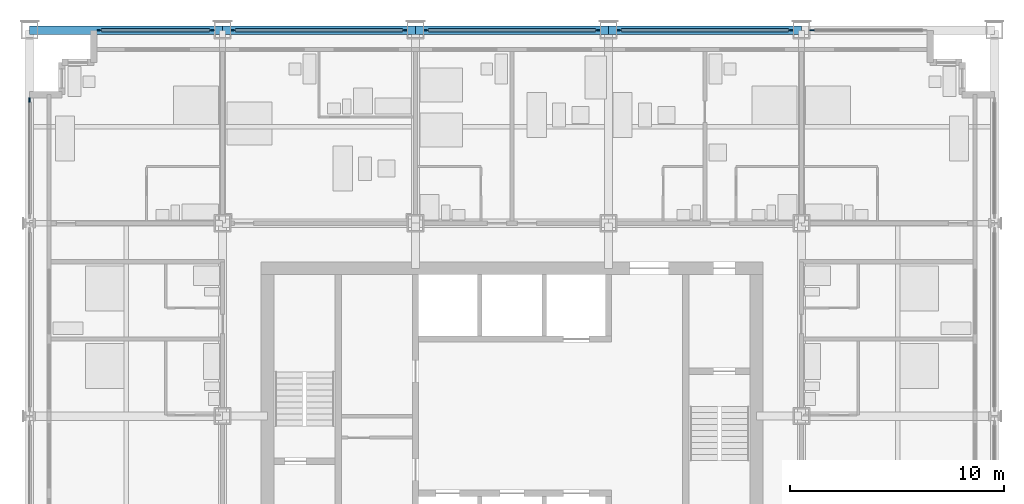
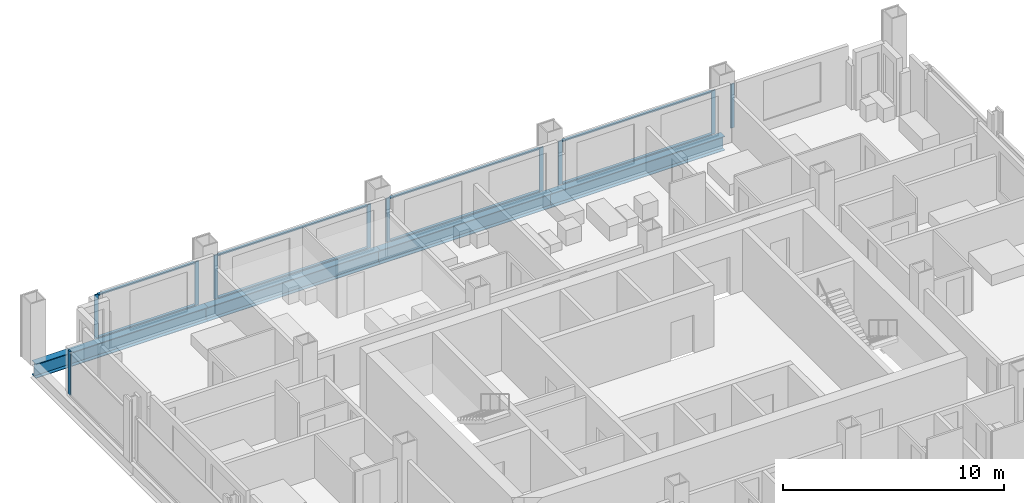
# One storey, part 6 of 16: 18 members, 4 beams, 6 elements without a shape of their own.
"""IFC4 building model written with IfcOpenShell, lengths in metres."""

from ifc_helpers import new_model, si_unit, direction, frame, origin, origin_2d, place, context, subcontext, project, spatial, rectangle, i_section, extrude, material, material_profile, profile_set, type_object, element, aggregate, save


model = new_model("IFC4")

# Units and contexts
model_context = context("Model", 3, precision=1e-05, world=origin(), true_north=direction((0.0, 1.0)))
body_context = subcontext(model_context, "Body", "Model", "MODEL_VIEW")
ifc_project = project(units=[si_unit("LENGTHUNIT", "METRE"), si_unit("AREAUNIT", "SQUARE_METRE"), si_unit("VOLUMEUNIT", "CUBIC_METRE"), si_unit("PLANEANGLEUNIT", "RADIAN"), si_unit("MASSUNIT", "GRAM", prefix="KILO")], contexts=[model_context])

# Site, building, storey
site_placement = place(None, origin())
site = spatial("IfcSite", under=ifc_project, at=site_placement, CompositionType="ELEMENT")
building_placement = place(site_placement, origin())
building = spatial("IfcBuilding", under=site, at=building_placement, Name="Loomwork Tower", CompositionType="ELEMENT")
storey_placement = place(building_placement, frame((0.0, 0.0, 148.60009765625)))
storey = spatial("IfcBuildingStorey", under=building, at=storey_placement, Name="L40", CompositionType="ELEMENT", Elevation=148.60009765625)

# Curtain wall, members
ifc_material_1 = material(Name="Aluminium curtain wall frame", Category="aluminium")
curtain_wall_type = type_object("IfcCurtainWallType", Name="Outer skin glazing hotel", PredefinedType="NOTDEFINED", material=ifc_material_1)
curtain_wall_1_placement = place(storey_placement, origin())
curtain_wall_1 = element("IfcCurtainWall", 1, at=curtain_wall_1_placement, inside=storey, type_object=curtain_wall_type, Name="Outer skin glazing hotel cw/N-0", PredefinedType="NOTDEFINED")
ifc_material_2 = material(Name="Aluminium curtain wall frame", Category="aluminium")
ifc_material_profile_1 = material_profile(ifc_material_2, rectangle(XDim=0.06494140625, YDim=0.199951171875, at=origin_2d()), Name="AL 65x200")
ifc_profile_set_1 = profile_set([ifc_material_profile_1], Name="Aluminium curtain wall frame")
member_type_1 = type_object("IfcMemberType", Name="Outer skin glazing hotel mullion", PredefinedType="MULLION", material=ifc_profile_set_1)
member_1_placement = place(storey_placement, frame((8.5, 36.0, 0.0), z_axis=(0.0, 0.0, 1.0), x_axis=(0.0, -1.0, 0.0)))
member_1 = element("IfcMember", 2, at=member_1_placement, type_object=member_type_1, Name="CW1 mullion 1", PredefinedType="MULLION", context=body_context, shape_type="SweptSolid", body=[
    extrude(rectangle(XDim=0.06494140625, YDim=0.199951171875, at=origin_2d()), origin(), (0.0, 0.0, 1.0), 2.420166015625),
])
member_2_placement = place(storey_placement, frame((3.25, 36.0, 0.0), z_axis=(0.0, 0.0, 1.0), x_axis=(0.0, -1.0, 0.0)))
member_2 = element("IfcMember", 3, at=member_2_placement, type_object=member_type_1, Name="CW1 mullion 2", PredefinedType="MULLION", context=body_context, shape_type="SweptSolid", body=[
    extrude(rectangle(XDim=0.06494140625, YDim=0.199951171875, at=origin_2d()), origin(), (0.0, 0.0, 1.0), 2.420166015625),
])

curtain_wall_2_placement = place(storey_placement, origin())
curtain_wall_2 = element("IfcCurtainWall", 4, at=curtain_wall_2_placement, inside=storey, type_object=curtain_wall_type, Name="Outer skin glazing hotel cw/N-9", PredefinedType="NOTDEFINED")
member_3_placement = place(storey_placement, frame((17.5, 36.0, 0.0), z_axis=(0.0, 0.0, 1.0), x_axis=(0.0, -1.0, 0.0)))
member_3 = element("IfcMember", 5, at=member_3_placement, type_object=member_type_1, Name="CW1 mullion 1", PredefinedType="MULLION", context=body_context, shape_type="SweptSolid", body=[
    extrude(rectangle(XDim=0.06494140625, YDim=0.199951171875, at=origin_2d()), origin(), (0.0, 0.0, 1.0), 2.420166015625),
])
member_4_placement = place(storey_placement, frame((9.5, 36.0, 0.0), z_axis=(0.0, 0.0, 1.0), x_axis=(0.0, -1.0, 0.0)))
member_4 = element("IfcMember", 6, at=member_4_placement, type_object=member_type_1, Name="CW1 mullion 2", PredefinedType="MULLION", context=body_context, shape_type="SweptSolid", body=[
    extrude(rectangle(XDim=0.06494140625, YDim=0.199951171875, at=origin_2d()), origin(), (0.0, 0.0, 1.0), 2.420166015625),
])

curtain_wall_3_placement = place(storey_placement, origin())
curtain_wall_3 = element("IfcCurtainWall", 7, at=curtain_wall_3_placement, inside=storey, type_object=curtain_wall_type, Name="Outer skin glazing hotel cw/N-18", PredefinedType="NOTDEFINED")
member_5_placement = place(storey_placement, frame((26.5, 36.0, 0.0), z_axis=(0.0, 0.0, 1.0), x_axis=(0.0, -1.0, 0.0)))
member_5 = element("IfcMember", 8, at=member_5_placement, type_object=member_type_1, Name="CW1 mullion 1", PredefinedType="MULLION", context=body_context, shape_type="SweptSolid", body=[
    extrude(rectangle(XDim=0.06494140625, YDim=0.199951171875, at=origin_2d()), origin(), (0.0, 0.0, 1.0), 2.420166015625),
])
member_6_placement = place(storey_placement, frame((18.5, 36.0, 0.0), z_axis=(0.0, 0.0, 1.0), x_axis=(0.0, -1.0, 0.0)))
member_6 = element("IfcMember", 9, at=member_6_placement, type_object=member_type_1, Name="CW1 mullion 2", PredefinedType="MULLION", context=body_context, shape_type="SweptSolid", body=[
    extrude(rectangle(XDim=0.06494140625, YDim=0.199951171875, at=origin_2d()), origin(), (0.0, 0.0, 1.0), 2.420166015625),
])

curtain_wall_4_placement = place(storey_placement, origin())
curtain_wall_4 = element("IfcCurtainWall", 10, at=curtain_wall_4_placement, inside=storey, type_object=curtain_wall_type, Name="Outer skin glazing hotel cw/N-27", PredefinedType="NOTDEFINED")
member_7_placement = place(storey_placement, frame((35.5, 36.0, 0.0), z_axis=(0.0, 0.0, 1.0), x_axis=(0.0, -1.0, 0.0)))
member_7 = element("IfcMember", 11, at=member_7_placement, type_object=member_type_1, Name="CW1 mullion 1", PredefinedType="MULLION", context=body_context, shape_type="SweptSolid", body=[
    extrude(rectangle(XDim=0.06494140625, YDim=0.199951171875, at=origin_2d()), origin(), (0.0, 0.0, 1.0), 2.420166015625),
])
member_8_placement = place(storey_placement, frame((27.5, 36.0, 0.0), z_axis=(0.0, 0.0, 1.0), x_axis=(0.0, -1.0, 0.0)))
member_8 = element("IfcMember", 12, at=member_8_placement, type_object=member_type_1, Name="CW1 mullion 2", PredefinedType="MULLION", context=body_context, shape_type="SweptSolid", body=[
    extrude(rectangle(XDim=0.06494140625, YDim=0.199951171875, at=origin_2d()), origin(), (0.0, 0.0, 1.0), 2.420166015625),
])

# Curtain wall, member
curtain_wall_5_placement = place(storey_placement, origin())
curtain_wall_5 = element("IfcCurtainWall", 13, at=curtain_wall_5_placement, inside=storey, type_object=curtain_wall_type, Name="Outer skin glazing hotel cw/N-36", PredefinedType="NOTDEFINED")
member_9_placement = place(storey_placement, frame((36.5, 36.0, 0.0), z_axis=(0.0, 0.0, 1.0), x_axis=(0.0, -1.0, 0.0)))
member_9 = element("IfcMember", 14, at=member_9_placement, type_object=member_type_1, Name="CW1 mullion 2", PredefinedType="MULLION", context=body_context, shape_type="SweptSolid", body=[
    extrude(rectangle(XDim=0.06494140625, YDim=0.199951171875, at=origin_2d()), origin(), (0.0, 0.0, 1.0), 2.420166015625),
])
aggregate(curtain_wall_5, [member_9])

curtain_wall_6_placement = place(storey_placement, origin())
curtain_wall_6 = element("IfcCurtainWall", 15, at=curtain_wall_6_placement, inside=storey, type_object=curtain_wall_type, Name="Outer skin glazing hotel cw/W-27", PredefinedType="NOTDEFINED")
member_10_placement = place(storey_placement, frame((0.0, 32.75, 0.0), z_axis=(0.0, 0.0, 1.0), x_axis=(1.0, 0.0, 0.0)))
member_10 = element("IfcMember", 16, at=member_10_placement, type_object=member_type_1, Name="CW1 mullion 1", PredefinedType="MULLION", context=body_context, shape_type="SweptSolid", body=[
    extrude(rectangle(XDim=0.06494140625, YDim=0.199951171875, at=origin_2d()), origin(), (0.0, 0.0, 1.0), 2.420166015625),
])
aggregate(curtain_wall_6, [member_10])

# Member
ifc_material_3 = material(Name="Aluminium curtain wall frame", Category="aluminium")
ifc_material_profile_2 = material_profile(ifc_material_3, rectangle(XDim=0.14990234375, YDim=0.06494140625, at=origin_2d()), Name="AL 65x150")
ifc_profile_set_2 = profile_set([ifc_material_profile_2], Name="Aluminium curtain wall frame")
member_type_2 = type_object("IfcMemberType", Name="Outer skin glazing hotel transom", PredefinedType="USERDEFINED", material=ifc_profile_set_2)
member_11_placement = place(storey_placement, frame((8.39990234375, 36.0, 0.032470703125), z_axis=(-1.0, 0.0, 0.0), x_axis=(0.0, -1.0, 0.0)))
member_11 = element("IfcMember", 17, at=member_11_placement, type_object=member_type_2, Name="CW1 transom 1.1", ObjectType="TRANSOM", PredefinedType="USERDEFINED", context=body_context, shape_type="SweptSolid", body=[
    extrude(rectangle(XDim=0.14990234375, YDim=0.06494140625, at=origin_2d()), origin(), (0.0, 0.0, 1.0), 5.0498046875),
])

member_12_placement = place(storey_placement, frame((8.39990234375, 36.0, 2.3876953125), z_axis=(-1.0, 0.0, 0.0), x_axis=(0.0, -1.0, 0.0)))
member_12 = element("IfcMember", 18, at=member_12_placement, type_object=member_type_2, Name="CW1 transom 1.2", ObjectType="TRANSOM", PredefinedType="USERDEFINED", context=body_context, shape_type="SweptSolid", body=[
    extrude(rectangle(XDim=0.14990234375, YDim=0.06494140625, at=origin_2d()), origin(), (0.0, 0.0, 1.0), 5.0498046875),
])

aggregate(curtain_wall_1, [member_1, member_2, member_11, member_12])

member_13_placement = place(storey_placement, frame((17.39990234375, 36.0, 0.032470703125), z_axis=(-1.0, 0.0, 0.0), x_axis=(0.0, -1.0, 0.0)))
member_13 = element("IfcMember", 19, at=member_13_placement, type_object=member_type_2, Name="CW1 transom 1.1", ObjectType="TRANSOM", PredefinedType="USERDEFINED", context=body_context, shape_type="SweptSolid", body=[
    extrude(rectangle(XDim=0.14990234375, YDim=0.06494140625, at=origin_2d()), origin(), (0.0, 0.0, 1.0), 7.7998046875),
])

member_14_placement = place(storey_placement, frame((17.39990234375, 36.0, 2.3876953125), z_axis=(-1.0, 0.0, 0.0), x_axis=(0.0, -1.0, 0.0)))
member_14 = element("IfcMember", 20, at=member_14_placement, type_object=member_type_2, Name="CW1 transom 1.2", ObjectType="TRANSOM", PredefinedType="USERDEFINED", context=body_context, shape_type="SweptSolid", body=[
    extrude(rectangle(XDim=0.14990234375, YDim=0.06494140625, at=origin_2d()), origin(), (0.0, 0.0, 1.0), 7.7998046875),
])

aggregate(curtain_wall_2, [member_3, member_4, member_13, member_14])

member_15_placement = place(storey_placement, frame((26.39990234375, 36.0, 0.032470703125), z_axis=(-1.0, 0.0, 0.0), x_axis=(0.0, -1.0, 0.0)))
member_15 = element("IfcMember", 21, at=member_15_placement, type_object=member_type_2, Name="CW1 transom 1.1", ObjectType="TRANSOM", PredefinedType="USERDEFINED", context=body_context, shape_type="SweptSolid", body=[
    extrude(rectangle(XDim=0.14990234375, YDim=0.06494140625, at=origin_2d()), origin(), (0.0, 0.0, 1.0), 7.7998046875),
])

member_16_placement = place(storey_placement, frame((26.39990234375, 36.0, 2.3876953125), z_axis=(-1.0, 0.0, 0.0), x_axis=(0.0, -1.0, 0.0)))
member_16 = element("IfcMember", 22, at=member_16_placement, type_object=member_type_2, Name="CW1 transom 1.2", ObjectType="TRANSOM", PredefinedType="USERDEFINED", context=body_context, shape_type="SweptSolid", body=[
    extrude(rectangle(XDim=0.14990234375, YDim=0.06494140625, at=origin_2d()), origin(), (0.0, 0.0, 1.0), 7.7998046875),
])

aggregate(curtain_wall_3, [member_5, member_6, member_15, member_16])

member_17_placement = place(storey_placement, frame((35.39990234375, 36.0, 0.032470703125), z_axis=(-1.0, 0.0, 0.0), x_axis=(0.0, -1.0, 0.0)))
member_17 = element("IfcMember", 23, at=member_17_placement, type_object=member_type_2, Name="CW1 transom 1.1", ObjectType="TRANSOM", PredefinedType="USERDEFINED", context=body_context, shape_type="SweptSolid", body=[
    extrude(rectangle(XDim=0.14990234375, YDim=0.06494140625, at=origin_2d()), origin(), (0.0, 0.0, 1.0), 7.7998046875),
])

member_18_placement = place(storey_placement, frame((35.39990234375, 36.0, 2.3876953125), z_axis=(-1.0, 0.0, 0.0), x_axis=(0.0, -1.0, 0.0)))
member_18 = element("IfcMember", 24, at=member_18_placement, type_object=member_type_2, Name="CW1 transom 1.2", ObjectType="TRANSOM", PredefinedType="USERDEFINED", context=body_context, shape_type="SweptSolid", body=[
    extrude(rectangle(XDim=0.14990234375, YDim=0.06494140625, at=origin_2d()), origin(), (0.0, 0.0, 1.0), 7.7998046875),
])

aggregate(curtain_wall_4, [member_7, member_8, member_17, member_18])

# Beams
ifc_material_4 = material(Name="Steel ASTM A992", Category="steel")
ifc_material_profile_3 = material_profile(ifc_material_4, i_section(OverallWidth=0.381103515625, OverallDepth=0.77978515625, WebThickness=0.01806640625, FlangeThickness=0.0302734375, at=origin_2d()), Name="W30x191")
ifc_profile_set_3 = profile_set([ifc_material_profile_3], Name="Steel ASTM A992")
beam_type = type_object("IfcBeamType", Name="SPANDREL GIRDER W30x191", PredefinedType="SPANDREL", material=ifc_profile_set_3)
for number, where, z_axis, x_axis, name in (
    (25, (0.0, 36.0, -0.590087890625), (1.0, 0.0, 0.0), (0.0, 1.0, 0.0), "Spandrel Girder H/2-H/3 L40"),
    (26, (9.0, 36.0, -0.590087890625), (1.0, 0.0, 0.0), (0.0, 1.0, 0.0), "Spandrel Girder H/3-H/4 L40"),
    (27, (18.0, 36.0, -0.590087890625), (1.0, 0.0, 0.0), (0.0, 1.0, 0.0), "Spandrel Girder H/4-H/5 L40"),
    (28, (27.0, 36.0, -0.590087890625), (1.0, 0.0, 0.0), (0.0, 1.0, 0.0), "Spandrel Girder H/5-H/6 L40"),
):
    element("IfcBeam", number, at=place(storey_placement, frame(where, z_axis=z_axis, x_axis=x_axis)), inside=storey, type_object=beam_type, Name=name, PredefinedType="SPANDREL", context=body_context, shape_type="SweptSolid", body=[
        extrude(i_section(OverallWidth=0.381103515625, OverallDepth=0.77978515625, WebThickness=0.01806640625, FlangeThickness=0.0302734375, at=origin_2d()), origin(), (0.0, 0.0, 1.0), 9.0),
    ])

save(model, "model.ifc")
